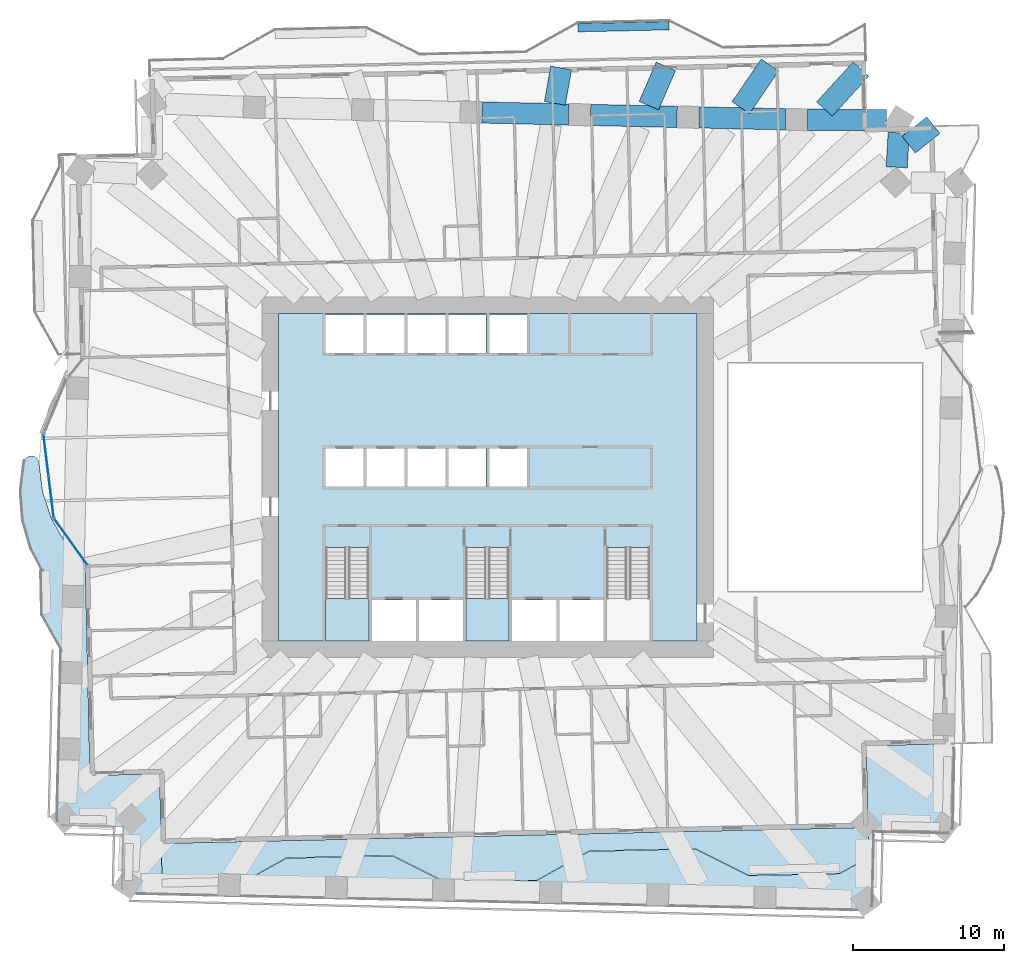
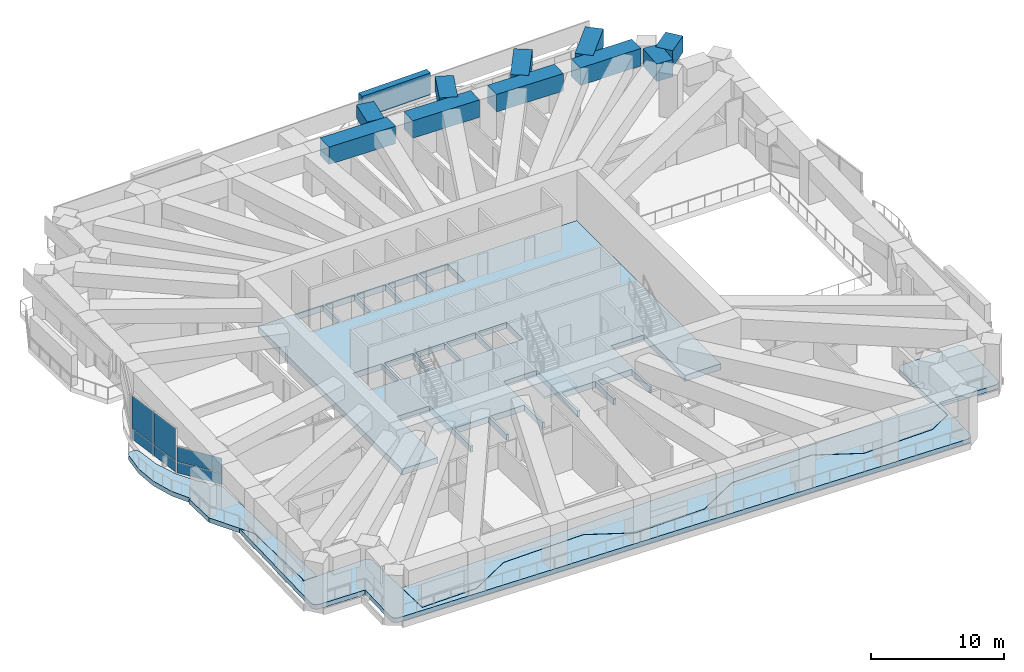
# One storey, part 8 of 20: 10 beams, 6 plates, 6 slabs, 1 member, 4 elements without a shape of their own.
"""IFC4 building model written with IfcOpenShell, lengths in metres."""

from ifc_helpers import new_model, si_unit, direction, frame, origin, origin_2d, place, context, subcontext, project, spatial, polyline, rectangle, outline, extrude, material, layer, layer_set, material_profile, profile_set, type_object, element, aggregate, save


model = new_model("IFC4")

# Units and contexts
model_context = context("Model", 3, precision=1e-05, world=origin(), true_north=direction((0.0, 1.0)))
body_context = subcontext(model_context, "Body", "Model", "MODEL_VIEW")
ifc_project = project(units=[si_unit("LENGTHUNIT", "METRE"), si_unit("AREAUNIT", "SQUARE_METRE"), si_unit("VOLUMEUNIT", "CUBIC_METRE"), si_unit("PLANEANGLEUNIT", "RADIAN"), si_unit("MASSUNIT", "GRAM", prefix="KILO")], contexts=[model_context])

# Site, building, storey
site_placement = place(None, origin())
site = spatial("IfcSite", under=ifc_project, at=site_placement, CompositionType="ELEMENT")
building_placement = place(site_placement, origin())
building = spatial("IfcBuilding", under=site, at=building_placement, Name="Mangrove Gate Tower", CompositionType="ELEMENT")
storey_placement = place(building_placement, frame((0.0, 0.0, 74.699951171875)))
storey = spatial("IfcBuildingStorey", under=building, at=storey_placement, Name="L18", CompositionType="ELEMENT", Elevation=74.699951171875)

# Member
ifc_material_1 = material(Name="Planting on aluminium trellis", Category="aluminium")
ifc_material_profile_1 = material_profile(ifc_material_1, rectangle(XDim=0.550048828125, YDim=2.0, at=origin_2d()))
ifc_profile_set_1 = profile_set([ifc_material_profile_1], Name="Planting on aluminium trellis")
member_type = type_object("IfcMemberType", Name="Balcony greenery screen 550x2000", PredefinedType="USERDEFINED", material=ifc_profile_set_1)
member_placement = place(storey_placement, frame((5.965087890625, 29.6708984375, 1.800048828125), z_axis=(0.999743178102, 0.022662255828, 0.0), x_axis=(-0.022662255828, 0.999743178102, 0.0)))
element("IfcMember", 1, at=member_placement, inside=storey, type_object=member_type, Name="GREEN SCREEN L18 N0.1", ObjectType="PLANTING", PredefinedType="USERDEFINED", context=body_context, shape_type="SweptSolid", body=[
    extrude(rectangle(XDim=0.550048828125, YDim=2.0, at=origin_2d()), origin(), (0.0, 0.0, 1.0), 6.00048828125),
])

# Beams
ifc_material_2 = material(Name="Concrete C70/85", Category="concrete")
ifc_material_profile_2 = material_profile(ifc_material_2, rectangle(XDim=1.39990234375, YDim=1.199951171875, at=origin_2d()))
ifc_profile_set_2 = profile_set([ifc_material_profile_2], Name="Concrete C70/85")
beam_type_1 = type_object("IfcBeamType", Name="Transfer girder RC 1400x1200 C70/85", PredefinedType="BEAM", material=ifc_profile_set_2)
beam_1_placement = place(storey_placement, frame((4.42724609375, 24.678955078125, 3.449951171875), z_axis=(0.176559332254, 0.984289999032, 0.0), x_axis=(-0.984289999032, 0.176559332254, 0.0)))
element("IfcBeam", 2, at=beam_1_placement, inside=storey, type_object=beam_type_1, Name="Transfer cantilever girder L18 23", PredefinedType="BEAM", context=body_context, shape_type="SweptSolid", body=[
    extrude(rectangle(XDim=1.39990234375, YDim=1.199951171875, at=origin_2d()), origin(), (0.0, 0.0, 1.0), 2.374267578125),
])
ifc_material_3 = material(Name="Concrete C70/85", Category="concrete")
ifc_material_profile_3 = material_profile(ifc_material_3, rectangle(XDim=1.39990234375, YDim=1.300048828125, at=origin_2d()))
ifc_profile_set_3 = profile_set([ifc_material_profile_3], Name="Concrete C70/85")
beam_type_2 = type_object("IfcBeamType", Name="Transfer girder RC 1400x1300 C70/85", PredefinedType="BEAM", material=ifc_profile_set_3)
beam_2_placement = place(storey_placement, frame((10.63525390625, 24.53076171875, 3.400146484375), z_axis=(0.397726381723, 0.917504073714, 0.0), x_axis=(-0.917504073714, 0.397726381723, 0.0)))
element("IfcBeam", 3, at=beam_2_placement, inside=storey, type_object=beam_type_2, Name="Transfer cantilever girder L18 22", PredefinedType="BEAM", context=body_context, shape_type="SweptSolid", body=[
    extrude(rectangle(XDim=1.39990234375, YDim=1.300048828125, at=origin_2d()), origin(), (0.0, 0.0, 1.0), 2.822509765625),
])
ifc_material_4 = material(Name="Concrete C70/85", Category="concrete")
ifc_material_profile_4 = material_profile(ifc_material_4, rectangle(XDim=1.39990234375, YDim=1.39990234375, at=origin_2d()))
ifc_profile_set_4 = profile_set([ifc_material_profile_4], Name="Concrete C70/85")
beam_type_3 = type_object("IfcBeamType", Name="Transfer girder RC 1400x1400 C70/85", PredefinedType="BEAM", material=ifc_profile_set_4)
beam_3_placement = place(storey_placement, frame((16.703369140625, 24.392822265625, 3.35009765625), z_axis=(0.565032927686, 0.825068355126, 0.0), x_axis=(-0.825068355126, 0.565032927686, 0.0)))
element("IfcBeam", 4, at=beam_3_placement, inside=storey, type_object=beam_type_3, Name="Transfer cantilever girder L18 21", PredefinedType="BEAM", context=body_context, shape_type="SweptSolid", body=[
    extrude(rectangle(XDim=1.39990234375, YDim=1.39990234375, at=origin_2d()), origin(), (0.0, 0.0, 1.0), 3.409912109375),
])
ifc_material_5 = material(Name="Concrete C70/85", Category="concrete")
ifc_material_profile_5 = material_profile(ifc_material_5, rectangle(XDim=1.39990234375, YDim=1.5, at=origin_2d()))
ifc_profile_set_5 = profile_set([ifc_material_profile_5], Name="Concrete C70/85")
beam_type_4 = type_object("IfcBeamType", Name="Transfer girder RC 1400x1500 C70/85", PredefinedType="BEAM", material=ifc_profile_set_5)
beam_4_placement = place(storey_placement, frame((27.789306640625, 21.9501953125, 3.300048828125), z_axis=(0.78470817484, 0.619865372754, 0.0), x_axis=(-0.619865372754, 0.78470817484, 0.0)))
element("IfcBeam", 5, at=beam_4_placement, inside=storey, type_object=beam_type_4, Name="Transfer cantilever girder L18 18", PredefinedType="BEAM", context=body_context, shape_type="SweptSolid", body=[
    extrude(rectangle(XDim=1.39990234375, YDim=1.5, at=origin_2d()), origin(), (0.0, 0.0, 1.0), 2.076416015625),
])
ifc_material_6 = material(Name="Concrete C70/85", Category="concrete")
ifc_material_profile_6 = material_profile(ifc_material_6, rectangle(XDim=1.39990234375, YDim=1.60009765625, at=origin_2d()))
ifc_profile_set_6 = profile_set([ifc_material_profile_6], Name="Concrete C70/85")
beam_type_5 = type_object("IfcBeamType", Name="Transfer girder RC 1400x1600 C70/85", PredefinedType="BEAM", material=ifc_profile_set_6)
beam_5_placement = place(storey_placement, frame((26.99853515625, 20.45703125, 3.25), z_axis=(0.058256613778, 0.998301641264, 0.0), x_axis=(-0.998301641264, 0.058256613778, 0.0)))
element("IfcBeam", 6, at=beam_5_placement, inside=storey, type_object=beam_type_5, Name="Transfer ring girder L18 21", PredefinedType="BEAM", context=body_context, shape_type="SweptSolid", body=[
    extrude(rectangle(XDim=1.39990234375, YDim=1.60009765625, at=origin_2d()), origin(), (0.0, 0.0, 1.0), 2.275634765625),
])
beam_6_placement = place(storey_placement, frame((26.331298828125, 23.557861328125, 3.25), z_axis=(-0.999968424917, 0.007946645112, 0.0), x_axis=(-0.007946645112, -0.999968424917, 0.0)))
element("IfcBeam", 7, at=beam_6_placement, inside=storey, type_object=beam_type_5, Name="Transfer ring girder L18 22", PredefinedType="BEAM", context=body_context, shape_type="SweptSolid", body=[
    extrude(rectangle(XDim=1.39990234375, YDim=1.60009765625, at=origin_2d()), origin(), (0.0, 0.0, 1.0), 5.222900390625),
])
beam_7_placement = place(storey_placement, frame((19.65869140625, 23.62158203125, 3.25), z_axis=(-0.999740465629, 0.022781601889, 0.0), x_axis=(-0.022781601889, -0.999740465629, 0.0)))
element("IfcBeam", 8, at=beam_7_placement, inside=storey, type_object=beam_type_5, Name="Transfer ring girder L18 23", PredefinedType="BEAM", context=body_context, shape_type="SweptSolid", body=[
    extrude(rectangle(XDim=1.39990234375, YDim=1.60009765625, at=origin_2d()), origin(), (0.0, 0.0, 1.0), 5.7119140625),
])
beam_8_placement = place(storey_placement, frame((12.498779296875, 23.78466796875, 3.25), z_axis=(-0.999744432359, 0.022606856661, 0.0), x_axis=(-0.022606856661, -0.999744432359, 0.0)))
element("IfcBeam", 9, at=beam_8_placement, inside=storey, type_object=beam_type_5, Name="Transfer ring girder L18 24", PredefinedType="BEAM", context=body_context, shape_type="SweptSolid", body=[
    extrude(rectangle(XDim=1.39990234375, YDim=1.60009765625, at=origin_2d()), origin(), (0.0, 0.0, 1.0), 5.712890625),
])
beam_9_placement = place(storey_placement, frame((5.337646484375, 23.94677734375, 3.25), z_axis=(-0.999741416099, 0.022739853494, 0.0), x_axis=(-0.022739853494, -0.999741416099, 0.0)))
element("IfcBeam", 10, at=beam_9_placement, inside=storey, type_object=beam_type_5, Name="Transfer ring girder L18 25", PredefinedType="BEAM", context=body_context, shape_type="SweptSolid", body=[
    extrude(rectangle(XDim=1.39990234375, YDim=1.60009765625, at=origin_2d()), origin(), (0.0, 0.0, 1.0), 5.711669921875),
])
beam_10_placement = place(storey_placement, frame((22.22705078125, 24.30419921875, 3.25), z_axis=(0.674843529424, 0.737960846383, 0.0), x_axis=(-0.737960846383, 0.674843529424, 0.0)))
element("IfcBeam", 11, at=beam_10_placement, inside=storey, type_object=beam_type_5, Name="Transfer cantilever girder L18 20", PredefinedType="BEAM", context=body_context, shape_type="SweptSolid", body=[
    extrude(rectangle(XDim=1.39990234375, YDim=1.60009765625, at=origin_2d()), origin(), (0.0, 0.0, 1.0), 3.577880859375),
])

# Slabs
ifc_material_7 = material(Name="Porcelain tile")
ifc_layer_1 = layer(ifc_material_7, 0.02001953125, Name="Tile finish")
ifc_material_8 = material(Name="Cement sand screed")
ifc_layer_2 = layer(ifc_material_8, 0.0400390625, Name="Screed laid to falls")
ifc_material_9 = material(Name="Bituminous waterproofing membrane")
ifc_layer_3 = layer(ifc_material_9, 0.00390625, Name="Waterproofing")
ifc_material_10 = material(Name="Concrete C40/50", Category="concrete")
ifc_layer_4 = layer(ifc_material_10, 0.340087890625, Name="Balcony structural slab")
ifc_material_11 = material(Name="Limestone", Category="masonry")
ifc_layer_5 = layer(ifc_material_11, 0.01611328125, Name="Soffit lining")
ifc_layer_set_1 = layer_set([ifc_layer_1, ifc_layer_2, ifc_layer_3, ifc_layer_4, ifc_layer_5], Name="Balcony slab 420 C40/50")
slab_type_1 = type_object("IfcSlabType", Name="Balcony slab 420 C40/50", PredefinedType="FLOOR", material=ifc_layer_set_1)
slab_1_placement = place(storey_placement, frame((0.0, 0.0, -0.419921875)))
element("IfcSlab", 12, at=slab_1_placement, inside=storey, type_object=slab_type_1, Name="BALCONY L18 W1", PredefinedType="FLOOR", context=body_context, shape_type="SweptSolid", body=[
    extrude(outline(polyline([(-29.490966796875, -9.05810546875), (-27.56201171875, -12.51708984375), (-27.403076171875, -19.510009765625), (-27.404052734375, -19.514892578125), (-27.50390625, -19.716064453125), (-26.259033203125, -19.68798828125), (-26.56689453125, -6.115966796875), (-26.572021484375, -6.112060546875), (-26.573974609375, -6.10693359375), (-26.572021484375, -6.10009765625), (-26.568115234375, -6.095947265625), (-26.569091796875, -6.049072265625), (-26.572021484375, -5.9990234375), (-26.5810546875, -5.949951171875), (-26.593994140625, -5.902099609375), (-26.612060546875, -5.85498046875), (-26.635009765625, -5.81103515625), (-26.662109375, -5.76904296875), (-26.693115234375, -5.72998046875), (-27.8359375, -4.428955078125), (-28.7880859375, -2.77197265625), (-29.39404296875, -0.9560546875), (-29.633056640625, 0.989013671875), (-29.64404296875, 1.035888671875), (-29.658935546875, 1.0830078125), (-29.678955078125, 1.1279296875), (-29.702880859375, 1.1708984375), (-29.73095703125, 1.2109375), (-29.762939453125, 1.248046875), (-29.799072265625, 1.281982421875), (-29.8369140625, 1.31201171875), (-29.87890625, 1.337890625), (-29.923095703125, 1.361083984375), (-29.968017578125, 1.3779296875), (-30.014892578125, 1.39111328125), (-30.06396484375, 1.39990234375), (-30.113037109375, 1.404052734375), (-30.162109375, 1.403076171875), (-30.2099609375, 1.39697265625), (-30.258056640625, 1.385986328125), (-30.304931640625, 1.37109375), (-30.34912109375, 1.35107421875), (-30.39306640625, 1.326904296875), (-30.43310546875, 1.299072265625), (-30.469970703125, 1.26708984375), (-30.50390625, 1.23095703125), (-30.533935546875, 1.193115234375), (-30.56005859375, 1.15087890625), (-30.58203125, 1.10791015625), (-30.610107421875, 1.031982421875), (-30.6240234375, 0.98388671875), (-30.632080078125, 0.93505859375), (-30.85400390625, -0.864013671875), (-30.85693359375, -0.9140625), (-30.85595703125, -0.962890625), (-30.716064453125, -2.77001953125), (-30.7099609375, -2.820068359375), (-30.698974609375, -2.868896484375), (-30.2041015625, -4.612060546875), (-30.18798828125, -4.658935546875), (-30.1669921875, -4.705078125), (-29.410888671875, -6.16796875), (-29.4130859375, -6.177001953125), (-29.4208984375, -6.180908203125), (-29.555908203125, -6.18408203125), (-29.490966796875, -9.05810546875)])), origin(), (0.0, 0.0, 1.0), 0.419921875),
])
slab_2_placement = place(storey_placement, frame((0.0, 0.0, -0.419921875)))
element("IfcSlab", 13, at=slab_2_placement, inside=storey, type_object=slab_type_1, Name="BALCONY L18 S0", PredefinedType="FLOOR", context=body_context, shape_type="SweptSolid", body=[
    extrude(outline(polyline([(-21.488037109375, -27.1708984375), (-16.7529296875, -27.06396484375), (-13.2958984375, -25.135009765625), (-6.298095703125, -24.97607421875), (-2.757080078125, -26.74609375), (3.241943359375, -26.610107421875), (6.698974609375, -24.680908203125), (13.697021484375, -24.52294921875), (17.238037109375, -26.2919921875), (23.236083984375, -26.156005859375), (25.14892578125, -25.089111328125), (25.10400390625, -23.123046875), (-21.555908203125, -24.181884765625), (-21.488037109375, -27.1708984375)])), origin(), (0.0, 0.0, 1.0), 0.419921875),
])
ifc_material_12 = material(Name="Concrete C40/50", Category="concrete")
ifc_layer_6 = layer(ifc_material_12, 0.550048828125)
ifc_layer_set_2 = layer_set([ifc_layer_6], Name="Core floor slab 550 C40/50")
slab_type_2 = type_object("IfcSlabType", Name="Core floor slab 550 C40/50", PredefinedType="FLOOR", material=ifc_layer_set_2)
slab_3_placement = place(storey_placement, frame((0.0, 0.0, -0.550048828125)))
element("IfcSlab", 14, at=slab_3_placement, inside=storey, type_object=slab_type_2, Name="SLAB-L18-CORE-1", PredefinedType="FLOOR", context=body_context, shape_type="SweptSolid", body=[
    extrude(outline(polyline([(-13.800048828125, -10.800048828125), (-13.800048828125, 10.800048828125), (13.800048828125, 10.800048828125), (13.800048828125, -10.800048828125), (10.699951171875, -10.800048828125), (10.699951171875, -4.653076171875), (7.85009765625, -4.653076171875), (7.85009765625, -10.800048828125), (7.64990234375, -10.800048828125), (7.64990234375, -8.10009765625), (4.72509765625, -8.10009765625), (4.72509765625, -10.800048828125), (4.52490234375, -10.800048828125), (4.52490234375, -8.10009765625), (1.60009765625, -8.10009765625), (1.60009765625, -10.800048828125), (1.39990234375, -10.800048828125), (1.39990234375, -4.653076171875), (-1.449951171875, -4.653076171875), (-1.449951171875, -10.800048828125), (-1.64990234375, -10.800048828125), (-1.64990234375, -8.10009765625), (-4.550048828125, -8.10009765625), (-4.550048828125, -10.800048828125), (-4.75, -10.800048828125), (-4.75, -8.10009765625), (-7.64990234375, -8.10009765625), (-7.64990234375, -10.800048828125), (-7.85009765625, -10.800048828125), (-7.85009765625, -4.653076171875), (-10.699951171875, -4.653076171875), (-10.699951171875, -10.800048828125), (-13.800048828125, -10.800048828125)]), holes=[polyline([(-8.199951171875, -0.60009765625), (-8.199951171875, 1.89990234375), (-10.699951171875, 1.89990234375), (-10.699951171875, -0.60009765625), (-8.199951171875, -0.60009765625)]), polyline([(-5.5, -0.60009765625), (-5.5, 1.89990234375), (-8.0, 1.89990234375), (-8.0, -0.60009765625), (-5.5, -0.60009765625)]), polyline([(-2.800048828125, -0.60009765625), (-2.800048828125, 1.89990234375), (-5.300048828125, 1.89990234375), (-5.300048828125, -0.60009765625), (-2.800048828125, -0.60009765625)]), polyline([(-8.199951171875, 8.199951171875), (-8.199951171875, 10.699951171875), (-10.699951171875, 10.699951171875), (-10.699951171875, 8.199951171875), (-8.199951171875, 8.199951171875)]), polyline([(-5.5, 8.199951171875), (-5.5, 10.699951171875), (-8.0, 10.699951171875), (-8.0, 8.199951171875), (-5.5, 8.199951171875)]), polyline([(-2.800048828125, 8.199951171875), (-2.800048828125, 10.699951171875), (-5.300048828125, 10.699951171875), (-5.300048828125, 8.199951171875), (-2.800048828125, 8.199951171875)]), polyline([(-0.10009765625, -0.60009765625), (-0.10009765625, 1.89990234375), (-2.60009765625, 1.89990234375), (-2.60009765625, -0.60009765625), (-0.10009765625, -0.60009765625)]), polyline([(2.60009765625, -0.60009765625), (2.60009765625, 1.89990234375), (0.10009765625, 1.89990234375), (0.10009765625, -0.60009765625), (2.60009765625, -0.60009765625)]), polyline([(-2.60009765625, 8.199951171875), (-0.10009765625, 8.199951171875), (-0.10009765625, 10.699951171875), (-2.60009765625, 10.699951171875), (-2.60009765625, 8.199951171875)]), polyline([(0.10009765625, 8.199951171875), (2.60009765625, 8.199951171875), (2.60009765625, 10.699951171875), (0.10009765625, 10.699951171875), (0.10009765625, 8.199951171875)])]), origin(), (0.0, 0.0, 1.0), 0.550048828125),
])

# Stair, slab
ifc_material_13 = material(Name="Concrete C40/50", Category="concrete")
stair_type = type_object("IfcStairType", Name="Core stair 1350", PredefinedType="HALF_TURN_STAIR", material=ifc_material_13)
stair_1_placement = place(storey_placement, origin())
stair_1 = element("IfcStair", 15, at=stair_1_placement, inside=storey, type_object=stair_type, Name="L18 Stair 1", PredefinedType="HALF_TURN_STAIR")
ifc_material_14 = material(Name="Concrete C40/50", Category="concrete")
ifc_layer_7 = layer(ifc_material_14, 0.199951171875)
ifc_layer_set_3 = layer_set([ifc_layer_7], Name="Core stair landing 200")
slab_type_3 = type_object("IfcSlabType", Name="Core stair landing 200", PredefinedType="LANDING", material=ifc_layer_set_3)
slab_4_placement = place(storey_placement, frame((0.0, 0.0, 2.10009765625)))
slab_4 = element("IfcSlab", 16, at=slab_4_placement, type_object=slab_type_3, Name="ST1 landing 1", PredefinedType="LANDING", context=body_context, shape_type="SweptSolid", body=[
    extrude(outline(polyline([(-10.699951171875, -8.010009765625), (-10.699951171875, -10.800048828125), (-7.85009765625, -10.800048828125), (-7.85009765625, -8.010009765625), (-10.699951171875, -8.010009765625)])), origin(), (0.0, 0.0, 1.0), 0.199951171875),
])
aggregate(stair_1, [slab_4])

stair_2_placement = place(storey_placement, origin())
stair_2 = element("IfcStair", 17, at=stair_2_placement, inside=storey, type_object=stair_type, Name="L18 Stair 2", PredefinedType="HALF_TURN_STAIR")
slab_5_placement = place(storey_placement, frame((0.0, 0.0, 2.10009765625)))
slab_5 = element("IfcSlab", 18, at=slab_5_placement, type_object=slab_type_3, Name="ST2 landing 1", PredefinedType="LANDING", context=body_context, shape_type="SweptSolid", body=[
    extrude(outline(polyline([(-1.449951171875, -8.010009765625), (-1.449951171875, -10.800048828125), (1.39990234375, -10.800048828125), (1.39990234375, -8.010009765625), (-1.449951171875, -8.010009765625)])), origin(), (0.0, 0.0, 1.0), 0.199951171875),
])
aggregate(stair_2, [slab_5])

# Curtain wall, plates
ifc_material_15 = material(Name="Aluminium and glass curtain wall", Category="aluminium")
curtain_wall_type = type_object("IfcCurtainWallType", Name="Sky-lounge glazing wall", PredefinedType="NOTDEFINED", material=ifc_material_15)
curtain_wall_1_placement = place(storey_placement, origin())
curtain_wall_1 = element("IfcCurtainWall", 19, at=curtain_wall_1_placement, inside=storey, type_object=curtain_wall_type, Name="Sky-lounge glazing W9p2f2", PredefinedType="NOTDEFINED")
ifc_material_16 = material(Name="Laminated low-e glass", Category="glass")
ifc_layer_8 = layer(ifc_material_16, 0.030029296875)
ifc_layer_set_4 = layer_set([ifc_layer_8], Name="Sky-lounge glazing panel 30")
plate_type = type_object("IfcPlateType", Name="Sky-lounge glazing panel 30", PredefinedType="CURTAIN_PANEL", material=ifc_layer_set_4)
plate_1_placement = place(storey_placement, frame((-29.16015625, 1.424072265625, 0.0), z_axis=(0.0, 0.0, 1.0), x_axis=(0.122172286076, -0.992508908028, 0.0)))
plate_1 = element("IfcPlate", 20, at=plate_1_placement, type_object=plate_type, Name="CWK panel 1.1", PredefinedType="CURTAIN_PANEL", context=body_context, shape_type="SweptSolid", body=[
    extrude(rectangle(XDim=2.69677734375, YDim=0.030029296875, at=origin_2d()), origin(), (0.0, 0.0, 1.0), 0.969970703125),
])
plate_2_placement = place(storey_placement, frame((-29.16015625, 1.424072265625, 1.030029296875), z_axis=(0.0, 0.0, 1.0), x_axis=(0.122172286076, -0.992508908028, 0.0)))
plate_2 = element("IfcPlate", 21, at=plate_2_placement, type_object=plate_type, Name="CWK panel 1.2", PredefinedType="CURTAIN_PANEL", context=body_context, shape_type="SweptSolid", body=[
    extrude(rectangle(XDim=2.69677734375, YDim=0.030029296875, at=origin_2d()), origin(), (0.0, 0.0, 1.0), 2.9599609375),
])
plate_3_placement = place(storey_placement, frame((-28.823486328125, -1.31201171875, 0.0), z_axis=(0.0, 0.0, 1.0), x_axis=(0.122172286076, -0.992508908028, 0.0)))
plate_3 = element("IfcPlate", 22, at=plate_3_placement, type_object=plate_type, Name="CWK panel 2.1", PredefinedType="CURTAIN_PANEL", context=body_context, shape_type="SweptSolid", body=[
    extrude(rectangle(XDim=2.69677734375, YDim=0.030029296875, at=origin_2d()), origin(), (0.0, 0.0, 1.0), 0.969970703125),
])
plate_4_placement = place(storey_placement, frame((-28.823486328125, -1.31201171875, 1.030029296875), z_axis=(0.0, 0.0, 1.0), x_axis=(0.122172286076, -0.992508908028, 0.0)))
plate_4 = element("IfcPlate", 23, at=plate_4_placement, type_object=plate_type, Name="CWK panel 2.2", PredefinedType="CURTAIN_PANEL", context=body_context, shape_type="SweptSolid", body=[
    extrude(rectangle(XDim=2.69677734375, YDim=0.030029296875, at=origin_2d()), origin(), (0.0, 0.0, 1.0), 2.9599609375),
])
aggregate(curtain_wall_1, [plate_1, plate_2, plate_3, plate_4])

curtain_wall_2_placement = place(storey_placement, origin())
curtain_wall_2 = element("IfcCurtainWall", 24, at=curtain_wall_2_placement, inside=storey, type_object=curtain_wall_type, Name="Sky-lounge glazing W9p2f3", PredefinedType="NOTDEFINED")
plate_5_placement = place(storey_placement, frame((-27.53759765625, -4.259033203125, 0.0), z_axis=(0.0, 0.0, 1.0), x_axis=(0.583670260892, -0.811990779843, 0.0)))
plate_5 = element("IfcPlate", 25, at=plate_5_placement, type_object=plate_type, Name="CWK panel 1.1", PredefinedType="CURTAIN_PANEL", context=body_context, shape_type="SweptSolid", body=[
    extrude(rectangle(XDim=3.696044921875, YDim=0.030029296875, at=origin_2d()), origin(), (0.0, 0.0, 1.0), 0.969970703125),
])
plate_6_placement = place(storey_placement, frame((-27.53759765625, -4.259033203125, 1.02978515625), z_axis=(0.0, 0.0, 1.0), x_axis=(0.583670260892, -0.811990779843, 0.0)))
plate_6 = element("IfcPlate", 26, at=plate_6_placement, type_object=plate_type, Name="CWK panel 1.2", PredefinedType="CURTAIN_PANEL", context=body_context, shape_type="SweptSolid", body=[
    extrude(rectangle(XDim=3.696044921875, YDim=0.030029296875, at=origin_2d()), origin(), (0.0, 0.0, 1.0), 1.360107421875),
])
aggregate(curtain_wall_2, [plate_5, plate_6])

# Slab
ifc_material_17 = material(Name="Granite", Category="masonry")
ifc_layer_9 = layer(ifc_material_17, 0.030029296875, Name="Granite paving")
ifc_layer_10 = layer(ifc_material_8, 0.0400390625, Name="Bedding screed")
ifc_layer_11 = layer(ifc_material_9, 0.0048828125, Name="Waterproofing")
ifc_material_18 = material(Name="Extruded polystyrene insulation")
ifc_layer_12 = layer(ifc_material_18, 0.0400390625, Name="Insulation")
ifc_layer_13 = layer(ifc_material_10, 0.304931640625, Name="Terrace structural slab")
ifc_layer_set_5 = layer_set([ifc_layer_9, ifc_layer_10, ifc_layer_11, ifc_layer_12, ifc_layer_13], Name="Terrace slab C40/50")
slab_type_4 = type_object("IfcSlabType", Name="Terrace slab C40/50", PredefinedType="FLOOR", material=ifc_layer_set_5)
slab_6_placement = place(storey_placement, frame((0.0, 0.0, -0.419921875)))
element("IfcSlab", 27, at=slab_6_placement, inside=storey, type_object=slab_type_4, Name="TERRACE L18 4", PredefinedType="FLOOR", context=body_context, shape_type="SweptSolid", body=[
    extrude(outline(polyline([(-26.239013671875, -19.68701171875), (-26.239013671875, -19.68798828125), (-26.239013671875, -19.68896484375), (-26.239013671875, -19.69091796875), (-26.239990234375, -19.693115234375), (-26.239990234375, -19.695068359375), (-26.240966796875, -19.697021484375), (-26.241943359375, -19.698974609375), (-26.242919921875, -19.699951171875), (-26.2451171875, -19.701904296875), (-26.24609375, -19.702880859375), (-26.248046875, -19.7041015625), (-26.2490234375, -19.705078125), (-26.2509765625, -19.7060546875), (-26.2529296875, -19.70703125), (-26.2548828125, -19.7080078125), (-26.257080078125, -19.7080078125), (-26.259033203125, -19.7080078125), (-27.50390625, -19.736083984375), (-27.506103515625, -19.736083984375), (-27.507080078125, -19.736083984375), (-27.509033203125, -19.735107421875), (-27.510986328125, -19.735107421875), (-27.512939453125, -19.73388671875), (-27.514892578125, -19.73291015625), (-27.51611328125, -19.73193359375), (-27.51806640625, -19.72998046875), (-27.51904296875, -19.72900390625), (-27.52001953125, -19.72802734375), (-27.52099609375, -19.72607421875), (-27.52197265625, -19.72412109375), (-27.52294921875, -19.721923828125), (-27.52392578125, -19.719970703125), (-27.52392578125, -19.718994140625), (-27.52392578125, -19.717041015625), (-27.52392578125, -19.715087890625), (-27.52392578125, -19.712890625), (-27.52294921875, -19.7109375), (-27.52294921875, -19.708984375), (-27.52197265625, -19.70703125), (-27.423095703125, -19.509033203125), (-27.58203125, -12.52001953125), (-28.197021484375, -11.41796875), (-28.447998046875, -22.47412109375), (-28.447021484375, -22.52294921875), (-28.44091796875, -22.571044921875), (-28.429931640625, -22.618896484375), (-28.4140625, -22.666015625), (-28.39404296875, -22.7109375), (-28.3701171875, -22.7529296875), (-28.342041015625, -22.79296875), (-28.31005859375, -22.830078125), (-28.27392578125, -22.864013671875), (-28.235107421875, -22.89404296875), (-28.194091796875, -22.919921875), (-28.14990234375, -22.94189453125), (-28.10400390625, -22.9599609375), (-28.056884765625, -22.972900390625), (-28.009033203125, -22.98095703125), (-27.9599609375, -22.985107421875), (-24.072998046875, -23.072998046875), (-24.06103515625, -23.073974609375), (-24.06103515625, -23.0859375), (-24.14892578125, -26.971923828125), (-24.14794921875, -27.02099609375), (-24.14208984375, -27.070068359375), (-24.131103515625, -27.117919921875), (-24.114990234375, -27.1640625), (-24.094970703125, -27.208984375), (-24.071044921875, -27.251953125), (-24.04296875, -27.2919921875), (-24.010986328125, -27.3291015625), (-23.97509765625, -27.363037109375), (-23.93603515625, -27.39306640625), (-23.89501953125, -27.4189453125), (-23.85107421875, -27.44091796875), (-23.804931640625, -27.458984375), (-23.758056640625, -27.471923828125), (-23.7099609375, -27.47998046875), (-23.660888671875, -27.48388671875), (24.863037109375, -28.5849609375), (24.912109375, -28.5830078125), (24.9609375, -28.576904296875), (25.009033203125, -28.56591796875), (25.054931640625, -28.551025390625), (25.10009765625, -28.531005859375), (25.14306640625, -28.507080078125), (25.18310546875, -28.47802734375), (25.219970703125, -28.446044921875), (25.2529296875, -28.410888671875), (25.283935546875, -28.3720703125), (25.31005859375, -28.330078125), (25.33203125, -28.287109375), (25.34912109375, -28.240966796875), (25.362060546875, -28.193115234375), (25.37109375, -28.14501953125), (25.3740234375, -28.095947265625), (25.47509765625, -23.637939453125), (25.47412109375, -23.5869140625), (25.467041015625, -23.537109375), (25.4560546875, -23.488037109375), (25.43994140625, -23.43994140625), (25.41796875, -23.39404296875), (25.39599609375, -23.35693359375), (25.403076171875, -23.360107421875), (25.447021484375, -23.3759765625), (25.492919921875, -23.388916015625), (25.5400390625, -23.39599609375), (25.587890625, -23.39990234375), (30.179931640625, -23.50390625), (30.22900390625, -23.5029296875), (30.277099609375, -23.4970703125), (30.324951171875, -23.486083984375), (30.3720703125, -23.469970703125), (30.4169921875, -23.449951171875), (30.458984375, -23.426025390625), (30.4990234375, -23.39794921875), (30.535888671875, -23.365966796875), (30.570068359375, -23.330078125), (30.60009765625, -23.291015625), (30.6259765625, -23.25), (30.64794921875, -23.2060546875), (30.666015625, -23.159912109375), (30.678955078125, -23.113037109375), (30.68701171875, -23.06396484375), (30.69091796875, -23.014892578125), (30.802001953125, -18.114990234375), (30.801025390625, -18.06494140625), (30.7939453125, -18.014892578125), (30.782958984375, -17.966064453125), (30.76611328125, -17.91796875), (30.7451171875, -17.8720703125), (30.718994140625, -17.827880859375), (30.68896484375, -17.7880859375), (30.656005859375, -17.75), (30.617919921875, -17.717041015625), (30.577880859375, -17.68701171875), (30.533935546875, -17.660888671875), (30.488037109375, -17.639892578125), (30.43994140625, -17.623046875), (30.429931640625, -17.62109375), (30.3798828125, -17.6220703125), (30.3779296875, -17.6220703125), (30.376953125, -17.6220703125), (30.375, -17.62109375), (30.373046875, -17.62109375), (30.37109375, -17.6201171875), (30.368896484375, -17.618896484375), (30.367919921875, -17.617919921875), (30.365966796875, -17.615966796875), (30.364990234375, -17.614990234375), (30.364013671875, -17.613037109375), (30.363037109375, -17.612060546875), (30.362060546875, -17.610107421875), (30.361083984375, -17.60791015625), (30.361083984375, -17.60791015625), (30.341064453125, -17.60498046875), (30.291015625, -17.60400390625), (25.48095703125, -17.712890625), (25.43310546875, -17.717041015625), (25.384033203125, -17.72509765625), (25.3369140625, -17.738037109375), (25.291015625, -17.756103515625), (25.2470703125, -17.778076171875), (25.2060546875, -17.803955078125), (25.1669921875, -17.833984375), (25.131103515625, -17.867919921875), (25.09912109375, -17.905029296875), (25.071044921875, -17.945068359375), (25.047119140625, -17.987060546875), (25.027099609375, -18.031982421875), (25.010986328125, -18.0791015625), (25.0, -18.126953125), (24.993896484375, -18.175048828125), (24.992919921875, -18.22412109375), (25.09912109375, -22.910888671875), (25.10302734375, -22.958984375), (25.110107421875, -23.006103515625), (25.123046875, -23.052001953125), (25.138916015625, -23.096923828125), (25.159912109375, -23.138916015625), (25.178955078125, -23.169921875), (25.162109375, -23.162109375), (25.125, -23.14892578125), (25.1689453125, -25.089111328125), (25.1689453125, -25.091064453125), (25.1689453125, -25.092041015625), (25.16796875, -25.093994140625), (25.16796875, -25.095947265625), (25.1669921875, -25.097900390625), (25.166015625, -25.10009765625), (25.1650390625, -25.10107421875), (25.1630859375, -25.10302734375), (25.162109375, -25.10400390625), (25.159912109375, -25.10498046875), (25.158935546875, -25.10595703125), (23.24609375, -26.173095703125), (23.243896484375, -26.174072265625), (23.241943359375, -26.175048828125), (23.239990234375, -26.176025390625), (23.238037109375, -26.176025390625), (23.236083984375, -26.176025390625), (17.238037109375, -26.31201171875), (17.237060546875, -26.31201171875), (17.235107421875, -26.31201171875), (17.23291015625, -26.31103515625), (17.23095703125, -26.31103515625), (17.22900390625, -26.31005859375), (13.69189453125, -24.5419921875), (6.7041015625, -24.700927734375), (3.251953125, -26.626953125), (3.25, -26.6279296875), (3.248046875, -26.62890625), (3.24609375, -26.6298828125), (3.243896484375, -26.6298828125), (3.241943359375, -26.6298828125), (1.842041015625, -26.662109375), (-2.757080078125, -26.76611328125), (-2.758056640625, -26.76611328125), (-2.760009765625, -26.76611328125), (-2.761962890625, -26.764892578125), (-2.763916015625, -26.764892578125), (-2.76611328125, -26.763916015625), (-6.302978515625, -24.99609375), (-13.291015625, -25.155029296875), (-16.742919921875, -27.0810546875), (-16.7451171875, -27.08203125), (-16.7470703125, -27.0830078125), (-16.7490234375, -27.083984375), (-16.7509765625, -27.083984375), (-16.7529296875, -27.083984375), (-21.488037109375, -27.19091796875), (-21.489990234375, -27.19091796875), (-21.490966796875, -27.19091796875), (-21.492919921875, -27.18994140625), (-21.4951171875, -27.18994140625), (-21.4970703125, -27.18896484375), (-21.4990234375, -27.18798828125), (-21.5, -27.18701171875), (-21.501953125, -27.18505859375), (-21.5029296875, -27.18408203125), (-21.50390625, -27.181884765625), (-21.5048828125, -27.180908203125), (-21.506103515625, -27.178955078125), (-21.507080078125, -27.177001953125), (-21.508056640625, -27.175048828125), (-21.508056640625, -27.173095703125), (-21.508056640625, -27.1708984375), (-21.575927734375, -24.181884765625), (-21.575927734375, -24.179931640625), (-21.575927734375, -24.178955078125), (-21.574951171875, -24.177001953125), (-21.574951171875, -24.175048828125), (-21.573974609375, -24.173095703125), (-21.572998046875, -24.1708984375), (-21.572021484375, -24.169921875), (-21.570068359375, -24.16796875), (-21.569091796875, -24.1669921875), (-21.56689453125, -24.166015625), (-21.56591796875, -24.1650390625), (-21.56396484375, -24.1640625), (-21.56201171875, -24.1630859375), (-21.56005859375, -24.162109375), (-21.55810546875, -24.162109375), (-21.555908203125, -24.162109375), (-21.555908203125, -24.162109375), (-21.64892578125, -20.0830078125), (-21.652099609375, -20.033935546875), (-21.660888671875, -19.986083984375), (-21.674072265625, -19.93798828125), (-21.69091796875, -19.89306640625), (-21.712890625, -19.84912109375), (-21.739013671875, -19.806884765625), (-21.77001953125, -19.76904296875), (-21.802978515625, -19.73291015625), (-21.840087890625, -19.700927734375), (-21.881103515625, -19.672119140625), (-21.923095703125, -19.64794921875), (-21.968017578125, -19.6279296875), (-22.014892578125, -19.613037109375), (-22.06201171875, -19.60205078125), (-22.111083984375, -19.595947265625), (-22.159912109375, -19.594970703125), (-26.239013671875, -19.68701171875)])), origin(), (0.0, 0.0, 1.0), 0.419921875),
])

save(model, "model.ifc")
